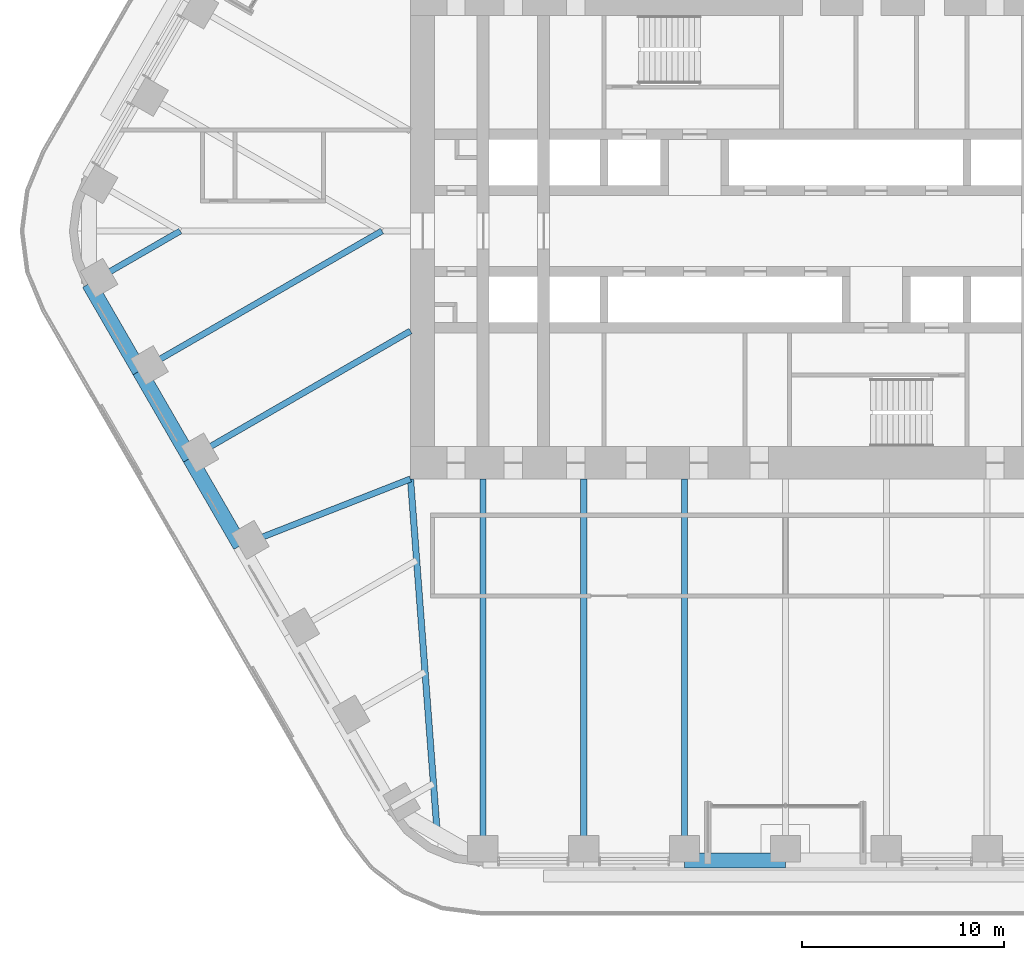
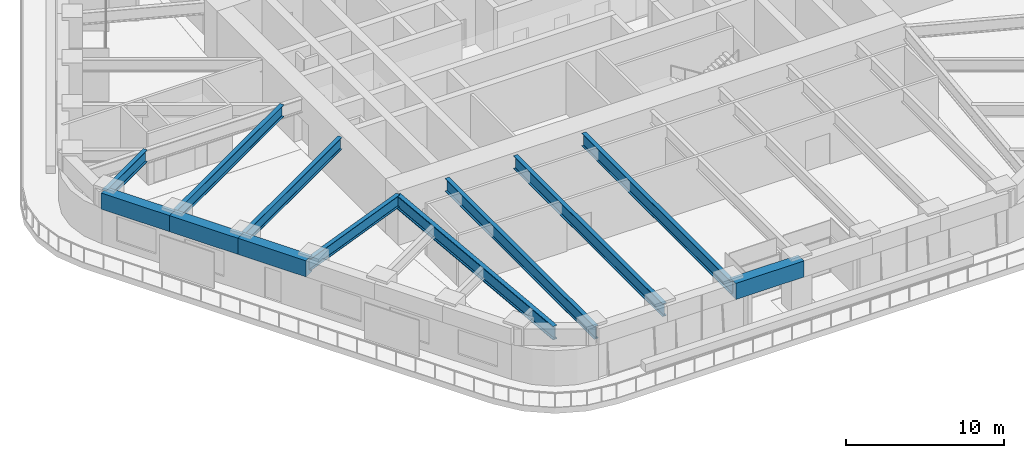
# One storey, part 3 of 24: 12 beams.
"""IFC4 building model written with IfcOpenShell, lengths in metres."""

from ifc_helpers import new_model, si_unit, direction, frame, origin, origin_2d, place, context, subcontext, project, spatial, rectangle, i_section, extrude, material, material_profile, profile_set, type_object, element, save


model = new_model("IFC4")

# Units and contexts
model_context = context("Model", 3, precision=1e-05, world=origin(), true_north=direction((0.0, 1.0)))
body_context = subcontext(model_context, "Body", "Model", "MODEL_VIEW")
ifc_project = project(units=[si_unit("LENGTHUNIT", "METRE"), si_unit("AREAUNIT", "SQUARE_METRE"), si_unit("VOLUMEUNIT", "CUBIC_METRE"), si_unit("PLANEANGLEUNIT", "RADIAN"), si_unit("MASSUNIT", "GRAM", prefix="KILO")], contexts=[model_context])

# Site, building, storey
site_placement = place(None, origin())
site = spatial("IfcSite", under=ifc_project, at=site_placement, CompositionType="ELEMENT")
building_placement = place(site_placement, origin())
building = spatial("IfcBuilding", under=site, at=building_placement, Name="Tarfa Lantern Tower", CompositionType="ELEMENT")
storey_placement = place(building_placement, frame((0.0, 0.0, 195.10009765625)))
storey = spatial("IfcBuildingStorey", under=building, at=storey_placement, Name="L44", CompositionType="ELEMENT", Elevation=195.10009765625)

# Beams
ifc_material_1 = material(Name="Concrete C80/95", Category="concrete")
ifc_material_profile_1 = material_profile(ifc_material_1, rectangle(XDim=0.75, YDim=1.25, at=origin_2d()), Name="RC 750x1250")
ifc_profile_set_1 = profile_set([ifc_material_profile_1], Name="Concrete C80/95")
beam_type_1 = type_object("IfcBeamType", Name="EB2 RC 750x1250", PredefinedType="SPANDREL", material=ifc_profile_set_1)
for number, where, z_axis, x_axis, name in (
    (1, (-34.54296875, -2.610107421875, 3.375), (0.500022324899, -0.866012514114, 0.0), (0.866012514114, 0.500022324899, 0.0), "Edge beam SW0"),
    (2, (-32.041015625, -6.943359375, 3.375), (0.500022324899, -0.866012514114, 0.0), (0.866012514114, 0.500022324899, 0.0), "Edge beam SW1"),
    (3, (-29.5390625, -11.276611328125, 3.375), (0.499964603504, -0.866045838996, 0.0), (0.866045838996, 0.499964603504, 0.0), "Edge beam SW2"),
    (4, (-5.003662109375, -31.219970703125, 3.375), (1.0, 0.0, 0.0), (0.0, 1.0, 0.0), "Edge beam S2"),
):
    element("IfcBeam", number, at=place(storey_placement, frame(where, z_axis=z_axis, x_axis=x_axis)), inside=storey, type_object=beam_type_1, Name=name, PredefinedType="SPANDREL", context=body_context, shape_type="SweptSolid", body=[
        extrude(rectangle(XDim=0.75, YDim=1.25, at=origin_2d()), origin(), (0.0, 0.0, 1.0), 5.003662109375),
    ])
ifc_material_2 = material(Name="Steel S460M", Category="steel")
ifc_material_profile_2 = material_profile(ifc_material_2, i_section(OverallWidth=0.302001953125, OverallDepth=1.008056640625, WebThickness=0.02099609375, FlangeThickness=0.0400390625, FilletRadius=0.030029296875, at=origin_2d()), Name="UB1016x305x349")
ifc_profile_set_2 = profile_set([ifc_material_profile_2], Name="Steel S460M")
beam_type_2 = type_object("IfcBeamType", Name="UB1016x305x349", PredefinedType="BEAM", material=ifc_profile_set_2)
for number, where, z_axis, x_axis, name in (
    (5, (-15.010986328125, -31.219970703125, 3.495849609375), (0.0, 1.0, 0.0), (-1.0, 0.0, 0.0), "Floor beam S0"),
    (6, (-10.00732421875, -31.219970703125, 3.495849609375), (0.0, 1.0, 0.0), (-1.0, 0.0, 0.0), "Floor beam S1"),
    (7, (-5.003662109375, -31.219970703125, 3.495849609375), (0.0, 1.0, 0.0), (-1.0, 0.0, 0.0), "Floor beam S2"),
):
    element("IfcBeam", number, at=place(storey_placement, frame(where, z_axis=z_axis, x_axis=x_axis)), inside=storey, type_object=beam_type_2, Name=name, PredefinedType="BEAM", context=body_context, shape_type="SweptSolid", body=[
        extrude(i_section(OverallWidth=0.302001953125, OverallDepth=1.008056640625, WebThickness=0.02099609375, FlangeThickness=0.0400390625, FilletRadius=0.030029296875, at=origin_2d()), origin(), (0.0, 0.0, 1.0), 18.919921875),
    ])
ifc_material_profile_3 = material_profile(ifc_material_2, i_section(OverallWidth=0.314208984375, OverallDepth=1.055908203125, WebThickness=0.035888671875, FlangeThickness=0.06396484375, FilletRadius=0.030029296875, at=origin_2d()), Name="UB1016x305x584")
ifc_profile_set_3 = profile_set([ifc_material_profile_3], Name="Steel S460M")
beam_type_3 = type_object("IfcBeamType", Name="UB1016x305x584", PredefinedType="BEAM", material=ifc_profile_set_3)
beam_1_placement = place(storey_placement, frame((-18.60009765625, -12.300048828125, 3.471923828125), z_axis=(0.075211516041, -0.99716760269, 0.0), x_axis=(0.99716760269, 0.075211516041, 0.0)))
element("IfcBeam", 8, at=beam_1_placement, inside=storey, type_object=beam_type_3, Name="Hip girder SW", PredefinedType="BEAM", context=body_context, shape_type="SweptSolid", body=[
    extrude(i_section(OverallWidth=0.314208984375, OverallDepth=1.055908203125, WebThickness=0.035888671875, FlangeThickness=0.06396484375, FilletRadius=0.030029296875, at=origin_2d()), origin(), (0.0, 0.0, 1.0), 17.6650390625),
])
ifc_material_profile_4 = material_profile(ifc_material_2, i_section(OverallWidth=0.305419921875, OverallDepth=0.91845703125, WebThickness=0.017333984375, FlangeThickness=0.02783203125, FilletRadius=0.01904296875, at=origin_2d()), Name="UB914x305x253")
ifc_profile_set_4 = profile_set([ifc_material_profile_4], Name="Steel S460M")
beam_type_4 = type_object("IfcBeamType", Name="UB914x305x253", PredefinedType="BEAM", material=ifc_profile_set_4)
beam_2_placement = place(storey_placement, frame((-34.54296875, -2.610107421875, 3.540771484375), z_axis=(0.866021250859, 0.500007193008, 0.0), x_axis=(-0.500007193008, 0.866021250859, 0.0)))
element("IfcBeam", 9, at=beam_2_placement, inside=storey, type_object=beam_type_4, Name="Floor beam SW0", PredefinedType="BEAM", context=body_context, shape_type="SweptSolid", body=[
    extrude(i_section(OverallWidth=0.305419921875, OverallDepth=0.91845703125, WebThickness=0.017333984375, FlangeThickness=0.02783203125, FilletRadius=0.01904296875, at=origin_2d()), origin(), (0.0, 0.0, 1.0), 5.22021484375),
])
beam_3_placement = place(storey_placement, frame((-32.041015625, -6.943359375, 3.540771484375), z_axis=(0.866023096411, 0.500003996466, 0.0), x_axis=(-0.500003996466, 0.866023096411, 0.0)))
element("IfcBeam", 10, at=beam_3_placement, inside=storey, type_object=beam_type_4, Name="Floor beam SW1", PredefinedType="BEAM", context=body_context, shape_type="SweptSolid", body=[
    extrude(i_section(OverallWidth=0.305419921875, OverallDepth=0.91845703125, WebThickness=0.017333984375, FlangeThickness=0.02783203125, FilletRadius=0.01904296875, at=origin_2d()), origin(), (0.0, 0.0, 1.0), 13.88671875),
])
beam_4_placement = place(storey_placement, frame((-29.5390625, -11.276611328125, 3.540771484375), z_axis=(0.866023362995, 0.500003534735, 0.0), x_axis=(-0.500003534735, 0.866023362995, 0.0)))
element("IfcBeam", 11, at=beam_4_placement, inside=storey, type_object=beam_type_4, Name="Floor beam SW2", PredefinedType="BEAM", context=body_context, shape_type="SweptSolid", body=[
    extrude(i_section(OverallWidth=0.305419921875, OverallDepth=0.91845703125, WebThickness=0.017333984375, FlangeThickness=0.02783203125, FilletRadius=0.01904296875, at=origin_2d()), origin(), (0.0, 0.0, 1.0), 12.63134765625),
])
beam_5_placement = place(storey_placement, frame((-27.037353515625, -15.610107421875, 3.540771484375), z_axis=(0.930923282782, 0.365214788274, 0.0), x_axis=(-0.365214788274, 0.930923282782, 0.0)))
element("IfcBeam", 12, at=beam_5_placement, inside=storey, type_object=beam_type_4, Name="Floor beam SW3", PredefinedType="BEAM", context=body_context, shape_type="SweptSolid", body=[
    extrude(i_section(OverallWidth=0.305419921875, OverallDepth=0.91845703125, WebThickness=0.017333984375, FlangeThickness=0.02783203125, FilletRadius=0.01904296875, at=origin_2d()), origin(), (0.0, 0.0, 1.0), 9.063232421875),
])

save(model, "model.ifc")
